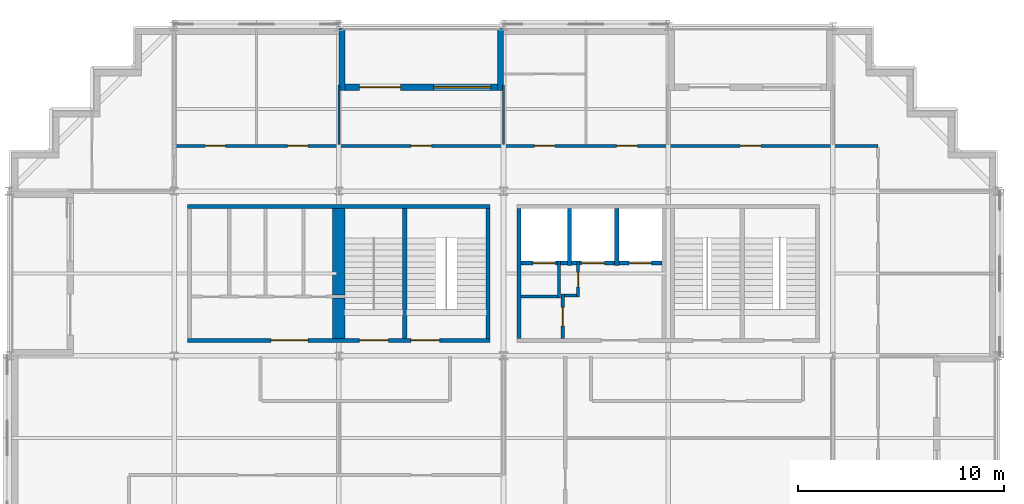
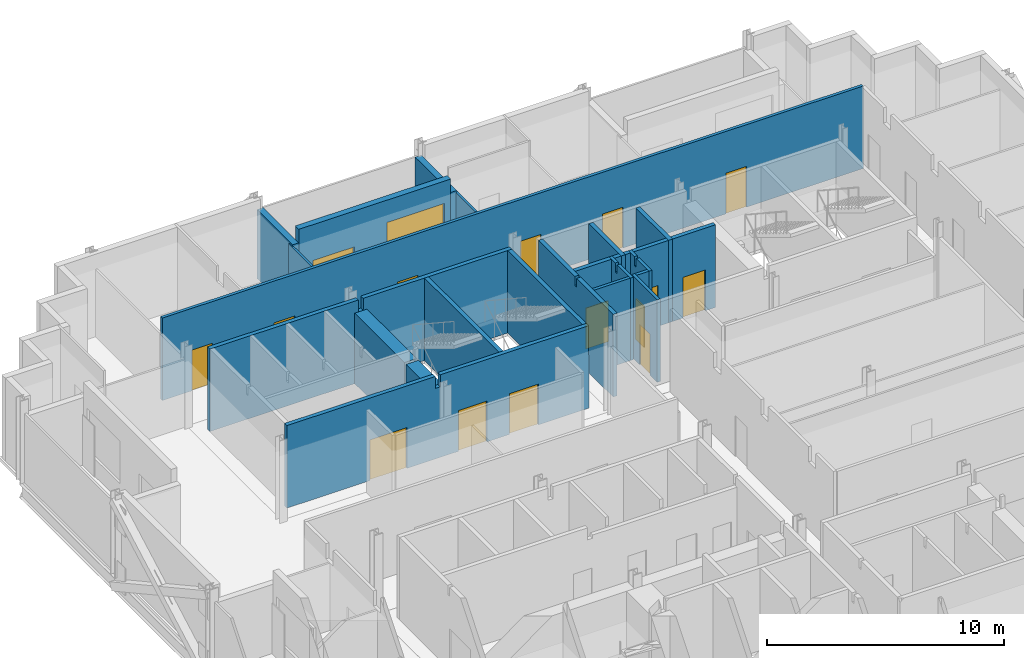
# One storey, part 10 of 14: 25 walls, 15 doors, 1 window, 16 openings.
"""IFC4 building model written with IfcOpenShell, lengths in metres."""

from ifc_helpers import new_model, si_unit, direction, frame, frame_2d, origin, place, context, subcontext, project, spatial, polyline, rectangle, outline, extrude, material, layer, layer_set, type_object, element, fill, save


model = new_model("IFC4")

# Units and contexts
model_context = context("Model", 3, precision=1e-05, world=origin(), true_north=direction((0.0, 1.0)))
body_context = subcontext(model_context, "Body", "Model", "MODEL_VIEW")
ifc_project = project(units=[si_unit("LENGTHUNIT", "METRE"), si_unit("AREAUNIT", "SQUARE_METRE"), si_unit("VOLUMEUNIT", "CUBIC_METRE"), si_unit("PLANEANGLEUNIT", "RADIAN"), si_unit("MASSUNIT", "GRAM", prefix="KILO")], contexts=[model_context])

# Site, building, storey
site_placement = place(None, origin())
site = spatial("IfcSite", under=ifc_project, at=site_placement, CompositionType="ELEMENT")
building_placement = place(site_placement, origin())
building = spatial("IfcBuilding", under=site, at=building_placement, Name="Immortelle Media Tower", CompositionType="ELEMENT")
storey_placement = place(building_placement, frame((0.0, 0.0, 96.39990234375)))
storey = spatial("IfcBuildingStorey", under=building, at=storey_placement, Name="L18", CompositionType="ELEMENT", Elevation=96.39990234375)

# Walls
ifc_material_1 = material(Name="Fire-rated gypsum board", Category="gypsum")
ifc_layer_1 = layer(ifc_material_1, 0.02490234375)
ifc_material_2 = material(Name="Steel ASTM A653 SS Gr 50 stud frame with mineral wool", Category="steel")
ifc_layer_2 = layer(ifc_material_2, 0.10009765625)
ifc_layer_3 = layer(ifc_material_1, 0.02490234375)
ifc_layer_set_1 = layer_set([ifc_layer_1, ifc_layer_2, ifc_layer_3], Name="Steel ASTM A653 SS Gr 50 stud frame with mineral wool")
wall_type_1 = type_object("IfcWallType", Name="Core partition 150", PredefinedType="PARTITIONING", material=ifc_layer_set_1)
wall_1_placement = place(storey_placement, frame((24.85009765625, 34.875, 0.0), z_axis=(0.0, 0.0, 1.0), x_axis=(1.0, 0.0, 0.0)))
element("IfcWall", 1, at=wall_1_placement, inside=storey, type_object=wall_type_1, Name="Core partition NE", PredefinedType="PARTITIONING", context=body_context, shape_type="SweptSolid", body=[
    extrude(rectangle(XDim=1.77490234375, YDim=0.14990234375, at=frame_2d((0.887451171875, 0.0))), origin(), (0.0, 0.0, 1.0), 4.25),
])
wall_2_placement = place(storey_placement, frame((26.699951171875, 34.800048828125, 0.0), z_axis=(0.0, 0.0, 1.0), x_axis=(0.0, 1.0, 0.0)))
element("IfcWall", 2, at=wall_2_placement, inside=storey, type_object=wall_type_1, Name="Core partition NE", PredefinedType="PARTITIONING", context=body_context, shape_type="SweptSolid", body=[
    extrude(outline(polyline([(0.0, 0.0), (1.800048828125, 0.0), (1.800048828125, 4.25), (1.281494140625, 4.25), (1.280517578125, 3.7890625), (1.119384765625, 3.7890625), (1.118408203125, 4.25), (0.0, 4.25), (0.0, 0.0)])), frame((0.0, 0.074951171875, 0.0), z_axis=(0.0, -1.0, 0.0), x_axis=(1.0, 0.0, 0.0)), (0.0, 0.0, 1.0), 0.14990234375),
])

# Wall, opening, door
wall_3_placement = place(storey_placement, frame((26.875, 32.85009765625, 0.0), z_axis=(0.0, 0.0, 1.0), x_axis=(0.0, 1.0, 0.0)))
wall_3 = element("IfcWall", 3, at=wall_3_placement, inside=storey, type_object=wall_type_1, Name="Core partition NE", PredefinedType="PARTITIONING", context=body_context, shape_type="SweptSolid", body=[
    extrude(rectangle(XDim=2.14990234375, YDim=0.14990234375, at=frame_2d((1.074951171875, 0.0))), origin(), (0.0, 0.0, 1.0), 4.25),
])
opening_1_placement = place(wall_3_placement, frame((0.60009765625, 0.0, 0.0)))
opening_1 = element("IfcOpeningElement", 4, at=opening_1_placement, cuts=wall_3, Name="Opening N6-K029", PredefinedType="OPENING", context=body_context, shape_type="SweptSolid", body=[
    extrude(rectangle(XDim=0.89990234375, YDim=2.10009765625, at=frame_2d((0.449951171875, 1.050048828125))), frame((0.0, 0.0849609375, 0.0), z_axis=(0.0, -1.0, 0.0), x_axis=(1.0, 0.0, 0.0)), (0.0, 0.0, 1.0), 0.169921875),
])
ifc_material_3 = material(Name="Galvanised steel door leaf and frame ASTM A653", Category="steel")
door_type_1 = type_object("IfcDoorType", Name="Service door 900 x 2100", OperationType="NOTDEFINED", PredefinedType="NOTDEFINED", material=ifc_material_3)
door_1_placement = place(opening_1_placement, origin())
door_1 = element("IfcDoor", 5, at=door_1_placement, inside=storey, type_object=door_type_1, Name="Service N6-K029", OperationType="SINGLE_SWING_LEFT", OverallHeight=2.10009765625, OverallWidth=0.89990234375, PredefinedType="NOTDEFINED", context=body_context, shape_type="SweptSolid", body=[
    extrude(rectangle(XDim=0.89990234375, YDim=2.10009765625, at=frame_2d((0.449951171875, 1.050048828125))), frame((0.0, 0.02490234375, 0.0), z_axis=(0.0, -1.0, 0.0), x_axis=(1.0, 0.0, 0.0)), (0.0, 0.0, 1.0), 0.050048828125),
])
fill(opening_1, door_1)

# Wall
wall_4_placement = place(storey_placement, frame((26.949951171875, 34.925048828125, 0.0), z_axis=(0.0, 0.0, 1.0), x_axis=(1.0, 0.0, 0.0)))
element("IfcWall", 6, at=wall_4_placement, inside=storey, type_object=wall_type_1, Name="Core partition NE", PredefinedType="PARTITIONING", context=body_context, shape_type="SweptSolid", body=[
    extrude(rectangle(XDim=0.60009765625, YDim=0.14990234375, at=frame_2d((0.300048828125, 0.0))), origin(), (0.0, 0.0, 1.0), 4.25),
])

# Wall, opening, door
wall_5_placement = place(storey_placement, frame((27.625, 34.85009765625, 0.0), z_axis=(0.0, 0.0, 1.0), x_axis=(0.0, 1.0, 0.0)))
wall_5 = element("IfcWall", 7, at=wall_5_placement, inside=storey, type_object=wall_type_1, Name="Core partition NE", PredefinedType="PARTITIONING", context=body_context, shape_type="SweptSolid", body=[
    extrude(outline(polyline([(0.0, 0.0), (1.75, 0.0), (1.75, 4.25), (1.2314453125, 4.25), (1.23046875, 3.7890625), (1.069580078125, 3.7890625), (1.068603515625, 4.25), (0.0, 4.25), (0.0, 0.0)])), frame((0.0, 0.074951171875, 0.0), z_axis=(0.0, -1.0, 0.0), x_axis=(1.0, 0.0, 0.0)), (0.0, 0.0, 1.0), 0.14990234375),
])
opening_2_placement = place(wall_5_placement, frame((0.5, 0.0, 0.0)))
opening_2 = element("IfcOpeningElement", 8, at=opening_2_placement, cuts=wall_5, Name="Opening N6-K030", PredefinedType="OPENING", context=body_context, shape_type="SweptSolid", body=[
    extrude(rectangle(XDim=0.699951171875, YDim=2.10009765625, at=frame_2d((0.35009765625, 1.050048828125))), frame((0.0, 0.0849609375, 0.0), z_axis=(0.0, -1.0, 0.0), x_axis=(1.0, 0.0, 0.0)), (0.0, 0.0, 1.0), 0.169921875),
])
door_type_2 = type_object("IfcDoorType", Name="Service door 700 x 2100", OperationType="NOTDEFINED", PredefinedType="NOTDEFINED", material=ifc_material_3)
door_2_placement = place(opening_2_placement, origin())
door_2 = element("IfcDoor", 9, at=door_2_placement, inside=storey, type_object=door_type_2, Name="Service N6-K030", OperationType="SINGLE_SWING_RIGHT", OverallHeight=2.10009765625, OverallWidth=0.699951171875, PredefinedType="NOTDEFINED", context=body_context, shape_type="SweptSolid", body=[
    extrude(rectangle(XDim=0.699951171875, YDim=2.10009765625, at=frame_2d((0.35009765625, 1.050048828125))), frame((0.0, 0.02490234375, 0.0), z_axis=(0.0, -1.0, 0.0), x_axis=(1.0, 0.0, 0.0)), (0.0, 0.0, 1.0), 0.050048828125),
])
fill(opening_2, door_2)

# Wall
ifc_layer_4 = layer(ifc_material_1, 0.03759765625)
ifc_layer_5 = layer(ifc_material_2, 0.125)
ifc_layer_6 = layer(ifc_material_1, 0.03759765625)
ifc_layer_set_2 = layer_set([ifc_layer_4, ifc_layer_5, ifc_layer_6], Name="Steel ASTM A653 SS Gr 50 stud frame with mineral wool")
wall_type_2 = type_object("IfcWallType", Name="Core shaft wall 200", PredefinedType="PARTITIONING", material=ifc_layer_set_2)
wall_6_placement = place(storey_placement, frame((24.75, 32.85009765625, 0.0), z_axis=(0.0, 0.0, 1.0), x_axis=(0.0, 1.0, 0.0)))
element("IfcWall", 10, at=wall_6_placement, inside=storey, type_object=wall_type_2, Name="Core shaft wall NE", PredefinedType="PARTITIONING", context=body_context, shape_type="SweptSolid", body=[
    extrude(outline(polyline([(0.0, 0.0), (6.2998046875, 0.0), (6.300048828125, 4.25), (3.2314453125, 4.25), (3.23046875, 3.7890625), (3.069580078125, 3.7890625), (3.068603515625, 4.25), (0.0, 4.25), (0.0, 0.0)])), frame((0.0, 0.10009765625, 0.0), z_axis=(0.0, -1.0, 0.0), x_axis=(1.0, 0.0, 0.0)), (0.0, 0.0, 1.0), 0.199951171875),
])

# Wall, opening, door
wall_7_placement = place(storey_placement, frame((24.85009765625, 36.5, 0.0), z_axis=(0.0, 0.0, 1.0), x_axis=(1.0, 0.0, 0.0)))
wall_7 = element("IfcWall", 11, at=wall_7_placement, inside=storey, type_object=wall_type_2, Name="Core shaft wall NE", PredefinedType="PARTITIONING", context=body_context, shape_type="SweptSolid", body=[
    extrude(rectangle(XDim=1.77490234375, YDim=0.199951171875, at=frame_2d((0.887451171875, 0.0))), origin(), (0.0, 0.0, 1.0), 4.25),
])
opening_3_placement = place(wall_7_placement, frame((0.574951171875, 0.0, 0.0)))
opening_3 = element("IfcOpeningElement", 12, at=opening_3_placement, cuts=wall_7, Name="Opening LD", PredefinedType="OPENING", context=body_context, shape_type="SweptSolid", body=[
    extrude(rectangle(XDim=1.10009765625, YDim=2.10009765625, at=frame_2d((0.550048828125, 1.050048828125))), frame((0.0, 0.10986328125, 0.0), z_axis=(0.0, -1.0, 0.0), x_axis=(1.0, 0.0, 0.0)), (0.0, 0.0, 1.0), 0.219970703125),
])
ifc_material_4 = material(Name="Stainless steel AISI 304", Category="steel")
door_type_3 = type_object("IfcDoorType", Name="Landing door 1100 x 2100", OperationType="SLIDING_TO_LEFT", PredefinedType="NOTDEFINED", material=ifc_material_4)
door_3_placement = place(opening_3_placement, origin())
door_3 = element("IfcDoor", 13, at=door_3_placement, inside=storey, type_object=door_type_3, Name="Landing door LR1 L18", OperationType="SLIDING_TO_LEFT", OverallHeight=2.10009765625, OverallWidth=1.10009765625, PredefinedType="NOTDEFINED", context=body_context, shape_type="SweptSolid", body=[
    extrude(rectangle(XDim=1.10009765625, YDim=2.10009765625, at=frame_2d((0.550048828125, 1.050048828125))), frame((0.0, 0.02490234375, 0.0), z_axis=(0.0, -1.0, 0.0), x_axis=(1.0, 0.0, 0.0)), (0.0, 0.0, 1.0), 0.050048828125),
])
fill(opening_3, door_3)

# Walls
wall_8_placement = place(storey_placement, frame((26.77490234375, 36.5, 0.0), z_axis=(0.0, 0.0, 1.0), x_axis=(1.0, 0.0, 0.0)))
element("IfcWall", 14, at=wall_8_placement, inside=storey, type_object=wall_type_2, Name="Core shaft wall NE", PredefinedType="PARTITIONING", context=body_context, shape_type="SweptSolid", body=[
    extrude(rectangle(XDim=0.3251953125, YDim=0.199951171875, at=frame_2d((0.16259765625, 0.0))), origin(), (0.0, 0.0, 1.0), 4.25),
])
wall_9_placement = place(storey_placement, frame((27.199951171875, 36.39990234375, 0.0), z_axis=(0.0, 0.0, 1.0), x_axis=(0.0, 1.0, 0.0)))
element("IfcWall", 15, at=wall_9_placement, inside=storey, type_object=wall_type_2, Name="Core shaft wall NE", PredefinedType="PARTITIONING", context=body_context, shape_type="SweptSolid", body=[
    extrude(rectangle(XDim=2.75, YDim=0.199951171875, at=frame_2d((1.375, 0.0))), origin(), (0.0, 0.0, 1.0), 4.25),
])
wall_10_placement = place(storey_placement, frame((27.300048828125, 36.5, 0.0), z_axis=(0.0, 0.0, 1.0), x_axis=(1.0, 0.0, 0.0)))
element("IfcWall", 16, at=wall_10_placement, inside=storey, type_object=wall_type_2, Name="Core shaft wall NE", PredefinedType="PARTITIONING", context=body_context, shape_type="SweptSolid", body=[
    extrude(rectangle(XDim=0.25, YDim=0.199951171875, at=frame_2d((0.125, 0.0))), origin(), (0.0, 0.0, 1.0), 4.25),
])

# Wall, opening, door
wall_11_placement = place(storey_placement, frame((27.699951171875, 36.5, 0.0), z_axis=(0.0, 0.0, 1.0), x_axis=(1.0, 0.0, 0.0)))
wall_11 = element("IfcWall", 17, at=wall_11_placement, inside=storey, type_object=wall_type_2, Name="Core shaft wall NE", PredefinedType="PARTITIONING", context=body_context, shape_type="SweptSolid", body=[
    extrude(rectangle(XDim=1.699951171875, YDim=0.199951171875, at=frame_2d((0.85009765625, 0.0))), origin(), (0.0, 0.0, 1.0), 4.25),
])
opening_4_placement = place(wall_11_placement, frame((0.10009765625, 0.0, 0.0)))
opening_4 = element("IfcOpeningElement", 18, at=opening_4_placement, cuts=wall_11, Name="Opening LD", PredefinedType="OPENING", context=body_context, shape_type="SweptSolid", body=[
    extrude(rectangle(XDim=1.10009765625, YDim=2.10009765625, at=frame_2d((0.550048828125, 1.050048828125))), frame((0.0, 0.10986328125, 0.0), z_axis=(0.0, -1.0, 0.0), x_axis=(1.0, 0.0, 0.0)), (0.0, 0.0, 1.0), 0.219970703125),
])
door_4_placement = place(opening_4_placement, origin())
door_4 = element("IfcDoor", 19, at=door_4_placement, inside=storey, type_object=door_type_3, Name="Landing door LR2 L18", OperationType="SLIDING_TO_LEFT", OverallHeight=2.10009765625, OverallWidth=1.10009765625, PredefinedType="NOTDEFINED", context=body_context, shape_type="SweptSolid", body=[
    extrude(rectangle(XDim=1.10009765625, YDim=2.10009765625, at=frame_2d((0.550048828125, 1.050048828125))), frame((0.0, 0.02490234375, 0.0), z_axis=(0.0, -1.0, 0.0), x_axis=(1.0, 0.0, 0.0)), (0.0, 0.0, 1.0), 0.050048828125),
])
fill(opening_4, door_4)

# Wall
wall_12_placement = place(storey_placement, frame((29.5, 36.39990234375, 0.0), z_axis=(0.0, 0.0, 1.0), x_axis=(0.0, 1.0, 0.0)))
element("IfcWall", 20, at=wall_12_placement, inside=storey, type_object=wall_type_2, Name="Core shaft wall NE", PredefinedType="PARTITIONING", context=body_context, shape_type="SweptSolid", body=[
    extrude(rectangle(XDim=2.75, YDim=0.199951171875, at=frame_2d((1.375, 0.0))), origin(), (0.0, 0.0, 1.0), 4.25),
])

# Wall, opening, door
wall_13_placement = place(storey_placement, frame((29.60009765625, 36.5, 0.0), z_axis=(0.0, 0.0, 1.0), x_axis=(1.0, 0.0, 0.0)))
wall_13 = element("IfcWall", 21, at=wall_13_placement, inside=storey, type_object=wall_type_2, Name="Core shaft wall NE", PredefinedType="PARTITIONING", context=body_context, shape_type="SweptSolid", body=[
    extrude(rectangle(XDim=2.099853515625, YDim=0.199951171875, at=frame_2d((1.0498046875, 0.0))), origin(), (0.0, 0.0, 1.0), 4.25),
])
opening_5_placement = place(wall_13_placement, frame((0.5, 0.0, 0.0)))
opening_5 = element("IfcOpeningElement", 22, at=opening_5_placement, cuts=wall_13, Name="Opening LD", PredefinedType="OPENING", context=body_context, shape_type="SweptSolid", body=[
    extrude(rectangle(XDim=1.10009765625, YDim=2.10009765625, at=frame_2d((0.550048828125, 1.050048828125))), frame((0.0, 0.10986328125, 0.0), z_axis=(0.0, -1.0, 0.0), x_axis=(1.0, 0.0, 0.0)), (0.0, 0.0, 1.0), 0.219970703125),
])
door_5_placement = place(opening_5_placement, origin())
door_5 = element("IfcDoor", 23, at=door_5_placement, inside=storey, type_object=door_type_3, Name="Landing door LR3 L18", OperationType="SLIDING_TO_LEFT", OverallHeight=2.10009765625, OverallWidth=1.10009765625, PredefinedType="NOTDEFINED", context=body_context, shape_type="SweptSolid", body=[
    extrude(rectangle(XDim=1.10009765625, YDim=2.10009765625, at=frame_2d((0.550048828125, 1.050048828125))), frame((0.0, 0.02490234375, 0.0), z_axis=(0.0, -1.0, 0.0), x_axis=(1.0, 0.0, 0.0)), (0.0, 0.0, 1.0), 0.050048828125),
])
fill(opening_5, door_5)

# Wall, openings, doors
ifc_layer_7 = layer(ifc_material_1, 0.012451171875)
ifc_layer_8 = layer(ifc_material_2, 0.125)
ifc_layer_9 = layer(ifc_material_1, 0.012451171875)
ifc_layer_set_3 = layer_set([ifc_layer_7, ifc_layer_8, ifc_layer_9], Name="Steel ASTM A653 SS Gr 50 stud frame with mineral wool")
wall_type_3 = type_object("IfcWallType", Name="Corridor wall 150", PredefinedType="PARTITIONING", material=ifc_layer_set_3)
wall_14_placement = place(storey_placement, frame((8.050048828125, 42.199951171875, 0.0), z_axis=(0.0, 0.0, 1.0), x_axis=(1.0, 0.0, 0.0)))
wall_14 = element("IfcWall", 24, at=wall_14_placement, inside=storey, type_object=wall_type_3, Name="Partition L18-048", PredefinedType="PARTITIONING", context=body_context, shape_type="SweptSolid", body=[
    extrude(rectangle(XDim=34.14990234375, YDim=0.14990234375, at=frame_2d((17.074951171875, 0.0))), origin(), (0.0, 0.0, 1.0), 4.25),
])
opening_6_placement = place(wall_14_placement, frame((11.449951171875, 0.0, 0.0)))
opening_6 = element("IfcOpeningElement", 25, at=opening_6_placement, cuts=wall_14, Name="Opening N6-F028", PredefinedType="OPENING", context=body_context, shape_type="SweptSolid", body=[
    extrude(rectangle(XDim=1.0, YDim=2.10009765625, at=frame_2d((0.5, 1.050048828125))), frame((0.0, 0.0849609375, 0.0), z_axis=(0.0, -1.0, 0.0), x_axis=(1.0, 0.0, 0.0)), (0.0, 0.0, 1.0), 0.169921875),
])
opening_7_placement = place(wall_14_placement, frame((27.449951171875, 0.0, 0.0)))
opening_7 = element("IfcOpeningElement", 26, at=opening_7_placement, cuts=wall_14, Name="Opening N6-F029", PredefinedType="OPENING", context=body_context, shape_type="SweptSolid", body=[
    extrude(rectangle(XDim=1.0, YDim=2.10009765625, at=frame_2d((0.5, 1.050048828125))), frame((0.0, 0.0849609375, 0.0), z_axis=(0.0, -1.0, 0.0), x_axis=(1.0, 0.0, 0.0)), (0.0, 0.0, 1.0), 0.169921875),
])
opening_8_placement = place(wall_14_placement, frame((1.449951171875, 0.0, 0.0)))
opening_8 = element("IfcOpeningElement", 27, at=opening_8_placement, cuts=wall_14, Name="Opening N6-F030", PredefinedType="OPENING", context=body_context, shape_type="SweptSolid", body=[
    extrude(rectangle(XDim=1.0, YDim=2.10009765625, at=frame_2d((0.5, 1.050048828125))), frame((0.0, 0.0849609375, 0.0), z_axis=(0.0, -1.0, 0.0), x_axis=(1.0, 0.0, 0.0)), (0.0, 0.0, 1.0), 0.169921875),
])
opening_9_placement = place(wall_14_placement, frame((5.449951171875, 0.0, 0.0)))
opening_9 = element("IfcOpeningElement", 28, at=opening_9_placement, cuts=wall_14, Name="Opening N6-F031", PredefinedType="OPENING", context=body_context, shape_type="SweptSolid", body=[
    extrude(rectangle(XDim=1.0, YDim=2.10009765625, at=frame_2d((0.5, 1.050048828125))), frame((0.0, 0.0849609375, 0.0), z_axis=(0.0, -1.0, 0.0), x_axis=(1.0, 0.0, 0.0)), (0.0, 0.0, 1.0), 0.169921875),
])
opening_10_placement = place(wall_14_placement, frame((17.449951171875, 0.0, 0.0)))
opening_10 = element("IfcOpeningElement", 29, at=opening_10_placement, cuts=wall_14, Name="Opening N6-F032", PredefinedType="OPENING", context=body_context, shape_type="SweptSolid", body=[
    extrude(rectangle(XDim=1.0, YDim=2.10009765625, at=frame_2d((0.5, 1.050048828125))), frame((0.0, 0.0849609375, 0.0), z_axis=(0.0, -1.0, 0.0), x_axis=(1.0, 0.0, 0.0)), (0.0, 0.0, 1.0), 0.169921875),
])
opening_11_placement = place(wall_14_placement, frame((21.449951171875, 0.0, 0.0)))
opening_11 = element("IfcOpeningElement", 30, at=opening_11_placement, cuts=wall_14, Name="Opening N6-F034", PredefinedType="OPENING", context=body_context, shape_type="SweptSolid", body=[
    extrude(rectangle(XDim=1.0, YDim=2.10009765625, at=frame_2d((0.5, 1.050048828125))), frame((0.0, 0.0849609375, 0.0), z_axis=(0.0, -1.0, 0.0), x_axis=(1.0, 0.0, 0.0)), (0.0, 0.0, 1.0), 0.169921875),
])
ifc_material_5 = material(Name="Timber veneered door leaf, galvanised steel frame ASTM A653", Category="steel")
door_type_4 = type_object("IfcDoorType", Name="Room door 1000 x 2100", OperationType="NOTDEFINED", PredefinedType="DOOR", material=ifc_material_5)
door_6_placement = place(opening_6_placement, origin())
door_6 = element("IfcDoor", 31, at=door_6_placement, inside=storey, type_object=door_type_4, Name="Door N6-F028", OperationType="SINGLE_SWING_LEFT", OverallHeight=2.10009765625, OverallWidth=1.0, PredefinedType="DOOR", context=body_context, shape_type="SweptSolid", body=[
    extrude(rectangle(XDim=1.0, YDim=2.10009765625, at=frame_2d((0.5, 1.050048828125))), frame((0.0, 0.02490234375, 0.0), z_axis=(0.0, -1.0, 0.0), x_axis=(1.0, 0.0, 0.0)), (0.0, 0.0, 1.0), 0.050048828125),
])
fill(opening_6, door_6)
door_7_placement = place(opening_7_placement, origin())
door_7 = element("IfcDoor", 32, at=door_7_placement, inside=storey, type_object=door_type_4, Name="Door N6-F029", OperationType="SINGLE_SWING_RIGHT", OverallHeight=2.10009765625, OverallWidth=1.0, PredefinedType="DOOR", context=body_context, shape_type="SweptSolid", body=[
    extrude(rectangle(XDim=1.0, YDim=2.10009765625, at=frame_2d((0.5, 1.050048828125))), frame((0.0, 0.02490234375, 0.0), z_axis=(0.0, -1.0, 0.0), x_axis=(1.0, 0.0, 0.0)), (0.0, 0.0, 1.0), 0.050048828125),
])
fill(opening_7, door_7)
door_8_placement = place(opening_8_placement, origin())
door_8 = element("IfcDoor", 33, at=door_8_placement, inside=storey, type_object=door_type_4, Name="Door N6-F030", OperationType="SINGLE_SWING_RIGHT", OverallHeight=2.10009765625, OverallWidth=1.0, PredefinedType="DOOR", context=body_context, shape_type="SweptSolid", body=[
    extrude(rectangle(XDim=1.0, YDim=2.10009765625, at=frame_2d((0.5, 1.050048828125))), frame((0.0, 0.02490234375, 0.0), z_axis=(0.0, -1.0, 0.0), x_axis=(1.0, 0.0, 0.0)), (0.0, 0.0, 1.0), 0.050048828125),
])
fill(opening_8, door_8)
door_9_placement = place(opening_9_placement, origin())
door_9 = element("IfcDoor", 34, at=door_9_placement, inside=storey, type_object=door_type_4, Name="Door N6-F031", OperationType="SINGLE_SWING_RIGHT", OverallHeight=2.10009765625, OverallWidth=1.0, PredefinedType="DOOR", context=body_context, shape_type="SweptSolid", body=[
    extrude(rectangle(XDim=1.0, YDim=2.10009765625, at=frame_2d((0.5, 1.050048828125))), frame((0.0, 0.02490234375, 0.0), z_axis=(0.0, -1.0, 0.0), x_axis=(1.0, 0.0, 0.0)), (0.0, 0.0, 1.0), 0.050048828125),
])
fill(opening_9, door_9)
door_10_placement = place(opening_10_placement, origin())
door_10 = element("IfcDoor", 35, at=door_10_placement, inside=storey, type_object=door_type_4, Name="Door N6-F032", OperationType="SINGLE_SWING_LEFT", OverallHeight=2.10009765625, OverallWidth=1.0, PredefinedType="DOOR", context=body_context, shape_type="SweptSolid", body=[
    extrude(rectangle(XDim=1.0, YDim=2.10009765625, at=frame_2d((0.5, 1.050048828125))), frame((0.0, 0.02490234375, 0.0), z_axis=(0.0, -1.0, 0.0), x_axis=(1.0, 0.0, 0.0)), (0.0, 0.0, 1.0), 0.050048828125),
])
fill(opening_10, door_10)
door_11_placement = place(opening_11_placement, origin())
door_11 = element("IfcDoor", 36, at=door_11_placement, inside=storey, type_object=door_type_4, Name="Door N6-F034", OperationType="SINGLE_SWING_RIGHT", OverallHeight=2.10009765625, OverallWidth=1.0, PredefinedType="DOOR", context=body_context, shape_type="SweptSolid", body=[
    extrude(rectangle(XDim=1.0, YDim=2.10009765625, at=frame_2d((0.5, 1.050048828125))), frame((0.0, 0.02490234375, 0.0), z_axis=(0.0, -1.0, 0.0), x_axis=(1.0, 0.0, 0.0)), (0.0, 0.0, 1.0), 0.050048828125),
])
fill(opening_11, door_11)

# Wall, openings, door, window
ifc_material_6 = material(Name="Pale aluminium cladding panel", Category="aluminium")
ifc_layer_10 = layer(ifc_material_6, 0.030029296875)
ifc_layer_11 = layer(ifc_material_2, 0.257568359375)
ifc_material_7 = material(Name="Moisture-resistant gypsum board", Category="gypsum")
ifc_layer_12 = layer(ifc_material_7, 0.012451171875)
ifc_layer_set_4 = layer_set([ifc_layer_10, ifc_layer_11, ifc_layer_12], Name="Steel ASTM A653 SS Gr 50 stud frame with mineral wool")
wall_type_4 = type_object("IfcWallType", Name="Facade wall 300", PredefinedType="SOLIDWALL", material=ifc_layer_set_4)
wall_15_placement = place(storey_placement, frame((23.699951171875, 45.050048828125, 0.0), z_axis=(0.0, 0.0, 1.0), x_axis=(-1.0, 0.0, 0.0)))
wall_15 = element("IfcWall", 37, at=wall_15_placement, inside=storey, type_object=wall_type_4, Name="Loggia wall L18 N21", PredefinedType="SOLIDWALL", context=body_context, shape_type="SweptSolid", body=[
    extrude(rectangle(XDim=7.39990234375, YDim=0.300048828125, at=frame_2d((3.699951171875, 0.0))), origin(), (0.0, 0.0, 1.0), 4.25),
])
opening_12_placement = place(wall_15_placement, frame((0.300048828125, 0.0, 0.89990234375)))
opening_12 = element("IfcOpeningElement", 38, at=opening_12_placement, cuts=wall_15, Name="Opening W1", PredefinedType="OPENING", context=body_context, shape_type="SweptSolid", body=[
    extrude(rectangle(XDim=2.800048828125, YDim=2.199951171875, at=frame_2d((1.39990234375, 1.10009765625))), frame((0.0, 0.159912109375, 0.0), z_axis=(0.0, -1.0, 0.0), x_axis=(1.0, 0.0, 0.0)), (0.0, 0.0, 1.0), 0.320068359375),
])
opening_13_placement = place(wall_15_placement, frame((4.699951171875, 0.0, 0.0)))
opening_13 = element("IfcOpeningElement", 39, at=opening_13_placement, cuts=wall_15, Name="Opening N6-E008", PredefinedType="OPENING", context=body_context, shape_type="SweptSolid", body=[
    extrude(rectangle(XDim=2.0, YDim=2.39990234375, at=frame_2d((1.0, 1.199951171875))), frame((0.0, 0.159912109375, 0.0), z_axis=(0.0, -1.0, 0.0), x_axis=(1.0, 0.0, 0.0)), (0.0, 0.0, 1.0), 0.320068359375),
])
ifc_material_8 = material(Name="Aluminium frame, glazed leaves", Category="aluminium")
door_type_5 = type_object("IfcDoorType", Name="Loggia door 2000 x 2400", OperationType="DOUBLE_DOOR_SINGLE_SWING", PredefinedType="DOOR", material=ifc_material_8)
door_12_placement = place(opening_13_placement, origin())
door_12 = element("IfcDoor", 40, at=door_12_placement, inside=storey, type_object=door_type_5, Name="Door N6-E008", OperationType="DOUBLE_DOOR_SINGLE_SWING", OverallHeight=2.39990234375, OverallWidth=2.0, PredefinedType="DOOR", context=body_context, shape_type="SweptSolid", body=[
    extrude(rectangle(XDim=2.0, YDim=2.39990234375, at=frame_2d((1.0, 1.199951171875))), frame((0.0, 0.02490234375, 0.0), z_axis=(0.0, -1.0, 0.0), x_axis=(1.0, 0.0, 0.0)), (0.0, 0.0, 1.0), 0.050048828125),
])
fill(opening_13, door_12)
ifc_material_9 = material(Name="Aluminium frame", Category="aluminium")
window_type = type_object("IfcWindowType", Name="Window 2800 x 2200", PartitioningType="SINGLE_PANEL", PredefinedType="WINDOW", material=ifc_material_9)
window_placement = place(opening_12_placement, origin())
window = element("IfcWindow", 41, at=window_placement, inside=storey, type_object=window_type, Name="Window L18 L18-R21-B2", OverallHeight=2.199951171875, OverallWidth=2.800048828125, PartitioningType="SINGLE_PANEL", PredefinedType="WINDOW", context=body_context, shape_type="SweptSolid", body=[
    extrude(rectangle(XDim=2.800048828125, YDim=2.199951171875, at=frame_2d((1.39990234375, 1.10009765625))), frame((0.0, 0.030029296875, 0.0), z_axis=(0.0, -1.0, 0.0), x_axis=(1.0, 0.0, 0.0)), (0.0, 0.0, 1.0), 0.06005859375),
])
fill(opening_12, window)

# Walls
for number, where, z_axis, x_axis, name in (
    (42, (23.85009765625, 47.89990234375, 0.0), (0.0, 0.0, 1.0), (0.0, -1.0, 0.0), "Loggia cheek wall L18 N"),
    (43, (16.14990234375, 47.89990234375, 0.0), (0.0, 0.0, 1.0), (0.0, -1.0, 0.0), "Loggia cheek wall L18 N"),
):
    element("IfcWall", number, at=place(storey_placement, frame(where, z_axis=z_axis, x_axis=x_axis)), inside=storey, type_object=wall_type_4, Name=name, PredefinedType="SOLIDWALL", context=body_context, shape_type="SweptSolid", body=[
        extrude(rectangle(XDim=3.0, YDim=0.300048828125, at=frame_2d((1.5, 0.0))), origin(), (0.0, 0.0, 1.0), 3.55615234375),
    ])
ifc_material_10 = material(Name="Gypsum board", Category="gypsum")
ifc_layer_13 = layer(ifc_material_10, 0.012451171875)
ifc_layer_14 = layer(ifc_material_2, 0.074951171875)
ifc_layer_15 = layer(ifc_material_10, 0.012451171875)
ifc_layer_set_5 = layer_set([ifc_layer_13, ifc_layer_14, ifc_layer_15], Name="Steel ASTM A653 SS Gr 50 stud frame with mineral wool")
wall_type_5 = type_object("IfcWallType", Name="Partition 100", PredefinedType="PARTITIONING", material=ifc_layer_set_5)
for number, where, z_axis, x_axis, name in (
    (44, (16.0, 42.27490234375, 0.0), (0.0, 0.0, 1.0), (0.0, 1.0, 0.0), "Partition L18-051"),
    (45, (24.0, 42.27490234375, 0.0), (0.0, 0.0, 1.0), (0.0, 1.0, 0.0), "Partition L18-052"),
):
    element("IfcWall", number, at=place(storey_placement, frame(where, z_axis=z_axis, x_axis=x_axis)), inside=storey, type_object=wall_type_5, Name=name, PredefinedType="PARTITIONING", context=body_context, shape_type="SweptSolid", body=[
        extrude(rectangle(XDim=2.89501953125, YDim=0.10009765625, at=frame_2d((1.447509765625, 0.0))), origin(), (0.0, 0.0, 1.0), 3.47021484375),
    ])

# Wall, openings, doors
ifc_material_11 = material(Name="Concrete C60", Category="concrete")
ifc_layer_16 = layer(ifc_material_11, 0.199951171875)
ifc_layer_set_6 = layer_set([ifc_layer_16], Name="Concrete C60")
wall_type_6 = type_object("IfcWallType", Name="Stair shaft wall 200", PredefinedType="PARTITIONING", material=ifc_layer_set_6)
wall_16_placement = place(storey_placement, frame((8.64990234375, 32.75, 0.0), z_axis=(0.0, 0.0, 1.0), x_axis=(1.0, 0.0, 0.0)))
wall_16 = element("IfcWall", 46, at=wall_16_placement, inside=storey, type_object=wall_type_6, Name="Stair shaft wall NW", PredefinedType="PARTITIONING", context=body_context, shape_type="SweptSolid", body=[
    extrude(outline(polyline([(0.0, 0.0), (14.7001953125, 0.0), (14.699951171875, 4.25), (7.469482421875, 4.25), (7.468505859375, 3.632080078125), (7.2314453125, 3.632080078125), (7.23046875, 4.25), (0.0, 4.25), (0.0, 0.0)])), frame((0.0, 0.10009765625, 0.0), z_axis=(0.0, -1.0, 0.0), x_axis=(1.0, 0.0, 0.0)), (0.0, 0.0, 1.0), 0.199951171875),
])
opening_14_placement = place(wall_16_placement, frame((4.050048828125, 0.0, 0.0)))
opening_14 = element("IfcOpeningElement", 47, at=opening_14_placement, cuts=wall_16, Name="Opening N6-K024", PredefinedType="OPENING", context=body_context, shape_type="SweptSolid", body=[
    extrude(rectangle(XDim=1.800048828125, YDim=2.10009765625, at=frame_2d((0.89990234375, 1.050048828125))), frame((0.0, 0.10986328125, 0.0), z_axis=(0.0, -1.0, 0.0), x_axis=(1.0, 0.0, 0.0)), (0.0, 0.0, 1.0), 0.219970703125),
])
opening_15_placement = place(wall_16_placement, frame((8.35009765625, 0.0, 0.0)))
opening_15 = element("IfcOpeningElement", 48, at=opening_15_placement, cuts=wall_16, Name="Opening N6-K026", PredefinedType="OPENING", context=body_context, shape_type="SweptSolid", body=[
    extrude(rectangle(XDim=1.39990234375, YDim=2.10009765625, at=frame_2d((0.699951171875, 1.050048828125))), frame((0.0, 0.10986328125, 0.0), z_axis=(0.0, -1.0, 0.0), x_axis=(1.0, 0.0, 0.0)), (0.0, 0.0, 1.0), 0.219970703125),
])
opening_16_placement = place(wall_16_placement, frame((10.85009765625, 0.0, 0.0)))
opening_16 = element("IfcOpeningElement", 49, at=opening_16_placement, cuts=wall_16, Name="Opening N6-K027", PredefinedType="OPENING", context=body_context, shape_type="SweptSolid", body=[
    extrude(rectangle(XDim=1.39990234375, YDim=2.10009765625, at=frame_2d((0.699951171875, 1.050048828125))), frame((0.0, 0.10986328125, 0.0), z_axis=(0.0, -1.0, 0.0), x_axis=(1.0, 0.0, 0.0)), (0.0, 0.0, 1.0), 0.219970703125),
])
door_type_6 = type_object("IfcDoorType", Name="Lift lobby door 1800 x 2100", OperationType="DOUBLE_DOOR_SINGLE_SWING", PredefinedType="NOTDEFINED", material=ifc_material_3)
door_13_placement = place(opening_14_placement, origin())
door_13 = element("IfcDoor", 50, at=door_13_placement, inside=storey, type_object=door_type_6, Name="Lift lobby N6-K024", OperationType="DOUBLE_DOOR_SINGLE_SWING", OverallHeight=2.10009765625, OverallWidth=1.800048828125, PredefinedType="NOTDEFINED", context=body_context, shape_type="SweptSolid", body=[
    extrude(rectangle(XDim=1.800048828125, YDim=2.10009765625, at=frame_2d((0.89990234375, 1.050048828125))), frame((0.0, 0.02490234375, 0.0), z_axis=(0.0, -1.0, 0.0), x_axis=(1.0, 0.0, 0.0)), (0.0, 0.0, 1.0), 0.050048828125),
])
fill(opening_14, door_13)
door_type_7 = type_object("IfcDoorType", Name="Stair door 1400 x 2100", OperationType="DOUBLE_DOOR_SINGLE_SWING", PredefinedType="NOTDEFINED", material=ifc_material_3)
door_14_placement = place(opening_15_placement, origin())
door_14 = element("IfcDoor", 51, at=door_14_placement, inside=storey, type_object=door_type_7, Name="Stair N6-K026", OperationType="DOUBLE_DOOR_SINGLE_SWING", OverallHeight=2.10009765625, OverallWidth=1.39990234375, PredefinedType="NOTDEFINED", context=body_context, shape_type="SweptSolid", body=[
    extrude(rectangle(XDim=1.39990234375, YDim=2.10009765625, at=frame_2d((0.699951171875, 1.050048828125))), frame((0.0, 0.02490234375, 0.0), z_axis=(0.0, -1.0, 0.0), x_axis=(1.0, 0.0, 0.0)), (0.0, 0.0, 1.0), 0.050048828125),
])
fill(opening_15, door_14)
door_15_placement = place(opening_16_placement, origin())
door_15 = element("IfcDoor", 52, at=door_15_placement, inside=storey, type_object=door_type_7, Name="Stair N6-K027", OperationType="DOUBLE_DOOR_SINGLE_SWING", OverallHeight=2.10009765625, OverallWidth=1.39990234375, PredefinedType="NOTDEFINED", context=body_context, shape_type="SweptSolid", body=[
    extrude(rectangle(XDim=1.39990234375, YDim=2.10009765625, at=frame_2d((0.699951171875, 1.050048828125))), frame((0.0, 0.02490234375, 0.0), z_axis=(0.0, -1.0, 0.0), x_axis=(1.0, 0.0, 0.0)), (0.0, 0.0, 1.0), 0.050048828125),
])
fill(opening_16, door_15)

# Walls
wall_17_placement = place(storey_placement, frame((8.64990234375, 39.25, 0.0), z_axis=(0.0, 0.0, 1.0), x_axis=(1.0, 0.0, 0.0)))
element("IfcWall", 53, at=wall_17_placement, inside=storey, type_object=wall_type_6, Name="Stair shaft wall NW", PredefinedType="PARTITIONING", context=body_context, shape_type="SweptSolid", body=[
    extrude(outline(polyline([(0.0, 0.0), (14.7001953125, 0.0), (14.699951171875, 4.25), (7.469482421875, 4.25), (7.468505859375, 3.632080078125), (7.2314453125, 3.632080078125), (7.23046875, 4.25), (0.0, 4.25), (0.0, 0.0)])), frame((0.0, 0.10009765625, 0.0), z_axis=(0.0, -1.0, 0.0), x_axis=(1.0, 0.0, 0.0)), (0.0, 0.0, 1.0), 0.199951171875),
])
for number, where, z_axis, x_axis, name in (
    (54, (19.199951171875, 32.85009765625, 0.0), (0.0, 0.0, 1.0), (0.0, 1.0, 0.0), "Stair shaft wall NW"),
    (55, (23.25, 32.85009765625, 0.0), (0.0, 0.0, 1.0), (0.0, 1.0, 0.0), "Stair shaft wall NW"),
):
    element("IfcWall", number, at=place(storey_placement, frame(where, z_axis=z_axis, x_axis=x_axis)), inside=storey, type_object=wall_type_6, Name=name, PredefinedType="PARTITIONING", context=body_context, shape_type="SweptSolid", body=[
        extrude(rectangle(XDim=6.2998046875, YDim=0.199951171875, at=frame_2d((3.14990234375, 0.0))), origin(), (0.0, 0.0, 1.0), 4.25),
    ])
ifc_layer_17 = layer(ifc_material_11, 0.60009765625)
ifc_layer_set_7 = layer_set([ifc_layer_17], Name="Concrete C60")
wall_type_7 = type_object("IfcWallType", Name="Stair shaft wall 600", PredefinedType="PARTITIONING", material=ifc_layer_set_7)
wall_18_placement = place(storey_placement, frame((16.0, 32.85009765625, 0.0), z_axis=(0.0, 0.0, 1.0), x_axis=(0.0, 1.0, 0.0)))
element("IfcWall", 56, at=wall_18_placement, inside=storey, type_object=wall_type_7, Name="Stair shaft wall NW", PredefinedType="PARTITIONING", context=body_context, shape_type="SweptSolid", body=[
    extrude(rectangle(XDim=1.949951171875, YDim=0.60009765625, at=frame_2d((0.97509765625, 0.0))), origin(), (0.0, 0.0, 1.0), 3.632080078125),
])
wall_19_placement = place(storey_placement, frame((16.0, 34.949951171875, 0.0), z_axis=(0.0, 0.0, 1.0), x_axis=(0.0, 1.0, 0.0)))
element("IfcWall", 57, at=wall_19_placement, inside=storey, type_object=wall_type_7, Name="Stair shaft wall NW", PredefinedType="PARTITIONING", context=body_context, shape_type="SweptSolid", body=[
    extrude(rectangle(XDim=4.199951171875, YDim=0.60009765625, at=frame_2d((2.10009765625, 0.0))), origin(), (0.0, 0.0, 1.0), 3.632080078125),
])

save(model, "model.ifc")
